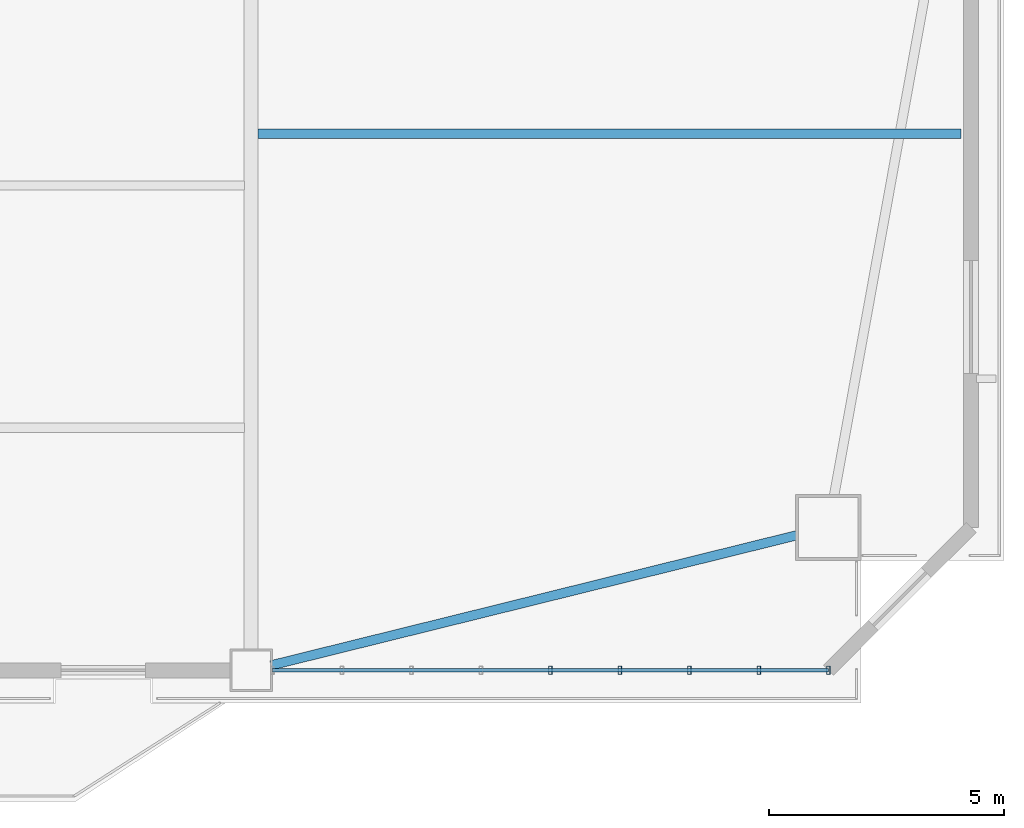
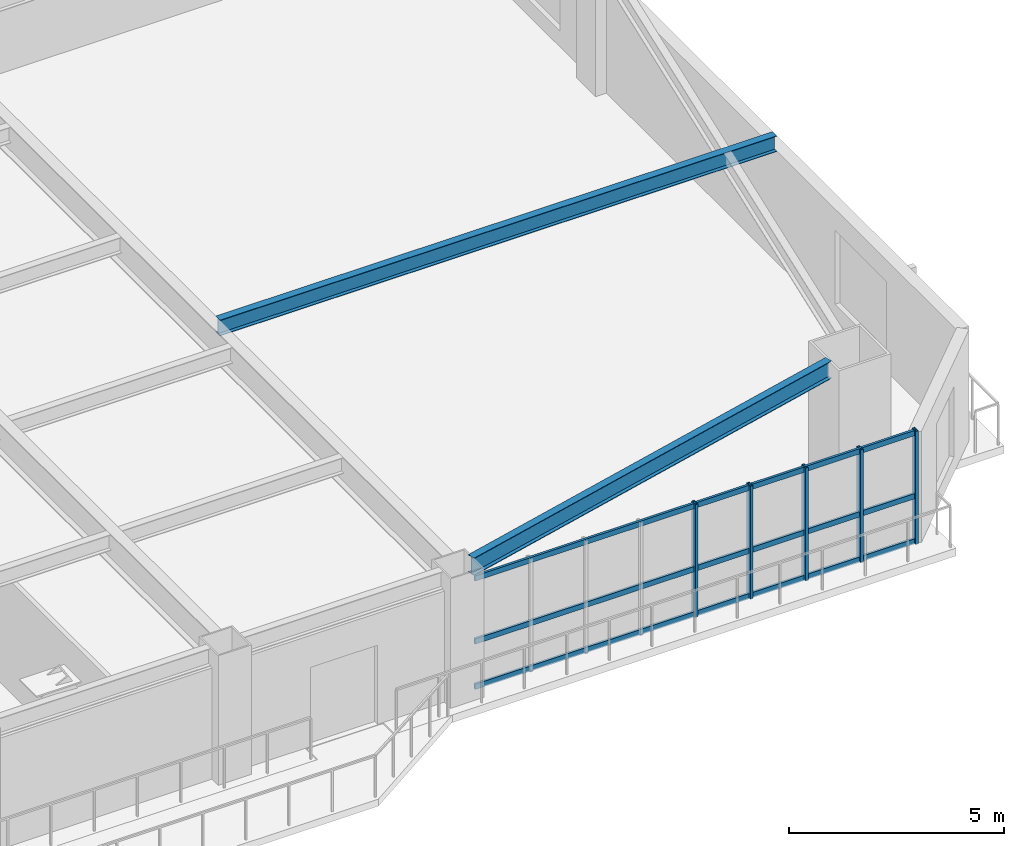
# One storey, part 5 of 15: 8 members, 2 beams, 1 element without a shape of its own.
"""IFC4 building model written with IfcOpenShell, lengths in metres."""

from ifc_helpers import new_model, si_unit, direction, frame, origin, origin_2d, place, context, subcontext, project, spatial, hollow_rectangle, i_section, extrude, source, transform, mapped, material, layer, layer_set, material_profile, profile_set, type_object, element, aggregate, save


model = new_model("IFC4")

# Units and contexts
model_context = context("Model", 3, precision=1e-05, world=origin(), true_north=direction((0.0, 1.0)))
body_context = subcontext(model_context, "Body", "Model", "MODEL_VIEW")
ifc_project = project(units=[si_unit("LENGTHUNIT", "METRE"), si_unit("AREAUNIT", "SQUARE_METRE"), si_unit("VOLUMEUNIT", "CUBIC_METRE"), si_unit("PLANEANGLEUNIT", "RADIAN"), si_unit("MASSUNIT", "GRAM", prefix="KILO")], contexts=[model_context])

# Site, building, storey
site_placement = place(None, origin())
site = spatial("IfcSite", under=ifc_project, at=site_placement, CompositionType="ELEMENT")
building_placement = place(site_placement, origin())
building = spatial("IfcBuilding", under=site, at=building_placement, Name="Giltprow Tower", CompositionType="ELEMENT")
storey_placement = place(building_placement, frame((0.0, 0.0, 103.60009765625)))
storey = spatial("IfcBuildingStorey", under=building, at=storey_placement, Name="L25", CompositionType="ELEMENT", Elevation=103.60009765625)

# Beams
ifc_material_1 = material(Name="Structural steel Q355B", Category="steel")
ifc_material_profile_1 = material_profile(ifc_material_1, i_section(OverallWidth=0.199951171875, OverallDepth=0.449951171875, WebThickness=0.009033203125, FlangeThickness=0.013916015625, at=origin_2d()), Name="HN 450x200x9x14")
ifc_profile_set_1 = profile_set([ifc_material_profile_1], Name="Structural steel Q355B")
beam_type_1 = type_object("IfcBeamType", Name="BM-JOIST-HN450", PredefinedType="JOIST", material=ifc_profile_set_1)
shared_shape_1 = source(origin(), body_context, "Body", "SweptSolid", [
    extrude(i_section(OverallWidth=0.199951171875, OverallDepth=0.449951171875, WebThickness=0.009033203125, FlangeThickness=0.013916015625, at=origin_2d()), origin(), (0.0, 0.0, 1.0), 14.975830078125),
])
beam_1_placement = place(storey_placement, frame((50.695068359375, 17.89306640625, 3.454833984375), z_axis=(1.0, 0.0, 0.0), x_axis=(0.0, 1.0, 0.0)))
element("IfcBeam", 1, at=beam_1_placement, inside=storey, type_object=beam_type_1, Name="L25 East Wing Floor Joist 1", PredefinedType="JOIST", context=body_context, shape_type="MappedRepresentation", body=[
    mapped(shared_shape_1, transform((0.0, 0.0, 0.0), x_axis=(1.0, 0.0, 0.0), y_axis=(0.0, 1.0, 0.0), z_axis=(0.0, 0.0, 1.0), scale=1.0)),
])
ifc_material_profile_2 = material_profile(ifc_material_1, i_section(OverallWidth=0.199951171875, OverallDepth=0.5, WebThickness=0.010009765625, FlangeThickness=0.01611328125, at=origin_2d()), Name="HN 500x200x10x16")
ifc_profile_set_2 = profile_set([ifc_material_profile_2], Name="Structural steel Q355B")
beam_type_2 = type_object("IfcBeamType", Name="BM-SPAN-HN500", PredefinedType="SPANDREL", material=ifc_profile_set_2)
shared_shape_2 = source(origin(), body_context, "Body", "SweptSolid", [
    extrude(i_section(OverallWidth=0.199951171875, OverallDepth=0.5, WebThickness=0.010009765625, FlangeThickness=0.01611328125, at=origin_2d()), origin(), (0.0, 0.0, 1.0), 11.54931640625),
])
beam_2_placement = place(storey_placement, frame((50.971923828125, 6.56591796875, 3.429931640625), z_axis=(0.970722882569, 0.240202175794, 0.0), x_axis=(-0.240202175794, 0.970722882569, 0.0)))
element("IfcBeam", 2, at=beam_2_placement, inside=storey, type_object=beam_type_2, Name="L25 Perimeter Spandrel Beam S4-MC_SE", PredefinedType="SPANDREL", context=body_context, shape_type="MappedRepresentation", body=[
    mapped(shared_shape_2, transform((0.0, 0.0, 0.0), x_axis=(1.0, 0.0, 0.0), y_axis=(0.0, 1.0, 0.0), z_axis=(0.0, 0.0, 1.0), scale=1.0)),
])

# Curtain wall, members
ifc_material_2 = material(Name="Anodized bronze", Category="metal")
ifc_layer = layer(ifc_material_2, 0.179931640625, Name="Anodized bronze")
ifc_layer_set = layer_set([ifc_layer], Name="Anodized bronze")
curtain_wall_type = type_object("IfcCurtainWallType", Name="CW-OFF-RECESSED", PredefinedType="NOTDEFINED", material=ifc_layer_set)
curtain_wall_placement = place(storey_placement, origin())
curtain_wall = element("IfcCurtainWall", 3, at=curtain_wall_placement, inside=storey, type_object=curtain_wall_type, Name="L25 South Recessed Curtain Wall 6", PredefinedType="NOTDEFINED")
ifc_material_profile_3 = material_profile(ifc_material_2, hollow_rectangle(XDim=0.074951171875, YDim=0.179931640625, WallThickness=0.008056640625, at=origin_2d()), Name="RHS 180x75x8")
ifc_profile_set_3 = profile_set([ifc_material_profile_3], Name="Anodized bronze")
member_type_1 = type_object("IfcMemberType", Name="CW-MULLION-180x75", PredefinedType="MULLION", material=ifc_profile_set_3)
shared_shape_3 = source(origin(), body_context, "Body", "SweptSolid", [
    extrude(hollow_rectangle(XDim=0.074951171875, YDim=0.179931640625, WallThickness=0.008056640625, at=origin_2d()), origin(), (0.0, 0.0, 1.0), 3.21484375),
])
member_1_placement = place(storey_placement, frame((56.924072265625, 6.4619140625, -0.02001953125), z_axis=(0.0, 0.0, 1.0), x_axis=(1.0, 0.0, 0.0)))
member_1 = element("IfcMember", 4, at=member_1_placement, type_object=member_type_1, Name="L25 South Recessed Curtain Wall 6 Mullion 5", PredefinedType="MULLION", context=body_context, shape_type="MappedRepresentation", body=[
    mapped(shared_shape_3, transform((0.0, 0.0, 0.0), x_axis=(1.0, 0.0, 0.0), y_axis=(0.0, 1.0, 0.0), z_axis=(0.0, 0.0, 1.0), scale=1.0)),
])
member_2_placement = place(storey_placement, frame((58.405029296875, 6.4619140625, -0.02001953125), z_axis=(0.0, 0.0, 1.0), x_axis=(1.0, 0.0, 0.0)))
member_2 = element("IfcMember", 5, at=member_2_placement, type_object=member_type_1, Name="L25 South Recessed Curtain Wall 6 Mullion 6", PredefinedType="MULLION", context=body_context, shape_type="MappedRepresentation", body=[
    mapped(shared_shape_3, transform((0.0, 0.0, 0.0), x_axis=(1.0, 0.0, 0.0), y_axis=(0.0, 1.0, 0.0), z_axis=(0.0, 0.0, 1.0), scale=1.0)),
])
member_3_placement = place(storey_placement, frame((59.885986328125, 6.4619140625, -0.02001953125), z_axis=(0.0, 0.0, 1.0), x_axis=(1.0, 0.0, 0.0)))
member_3 = element("IfcMember", 6, at=member_3_placement, type_object=member_type_1, Name="L25 South Recessed Curtain Wall 6 Mullion 7", PredefinedType="MULLION", context=body_context, shape_type="MappedRepresentation", body=[
    mapped(shared_shape_3, transform((0.0, 0.0, 0.0), x_axis=(1.0, 0.0, 0.0), y_axis=(0.0, 1.0, 0.0), z_axis=(0.0, 0.0, 1.0), scale=1.0)),
])
member_4_placement = place(storey_placement, frame((61.366943359375, 6.4619140625, -0.02001953125), z_axis=(0.0, 0.0, 1.0), x_axis=(1.0, 0.0, 0.0)))
member_4 = element("IfcMember", 7, at=member_4_placement, type_object=member_type_1, Name="L25 South Recessed Curtain Wall 6 Mullion 8", PredefinedType="MULLION", context=body_context, shape_type="MappedRepresentation", body=[
    mapped(shared_shape_3, transform((0.0, 0.0, 0.0), x_axis=(1.0, 0.0, 0.0), y_axis=(0.0, 1.0, 0.0), z_axis=(0.0, 0.0, 1.0), scale=1.0)),
])
member_5_placement = place(storey_placement, frame((62.847900390625, 6.4619140625, -0.02001953125), z_axis=(0.0, 0.0, 1.0), x_axis=(1.0, 0.0, 0.0)))
member_5 = element("IfcMember", 8, at=member_5_placement, type_object=member_type_1, Name="L25 South Recessed Curtain Wall 6 Mullion 9", PredefinedType="MULLION", context=body_context, shape_type="MappedRepresentation", body=[
    mapped(shared_shape_3, transform((0.0, 0.0, 0.0), x_axis=(1.0, 0.0, 0.0), y_axis=(0.0, 1.0, 0.0), z_axis=(0.0, 0.0, 1.0), scale=1.0)),
])
ifc_material_profile_4 = material_profile(ifc_material_2, hollow_rectangle(XDim=0.06494140625, YDim=0.14990234375, WallThickness=0.006103515625, at=origin_2d()), Name="RHS 150x65x6")
ifc_profile_set_4 = profile_set([ifc_material_profile_4], Name="Anodized bronze")
member_type_2 = type_object("IfcMemberType", Name="CW-TRANSOM-150x65", PredefinedType="USERDEFINED", material=ifc_profile_set_4)
shared_shape_4 = source(origin(), body_context, "Body", "SweptSolid", [
    extrude(hollow_rectangle(XDim=0.06494140625, YDim=0.14990234375, WallThickness=0.006103515625, at=origin_2d()), origin(), (0.0, 0.0, 1.0), 11.847900390625),
])
member_6_placement = place(storey_placement, frame((51.0, 6.4619140625, 0.039794921875), z_axis=(1.0, 0.0, 0.0), x_axis=(0.0, 1.0, 0.0)))
member_6 = element("IfcMember", 9, at=member_6_placement, type_object=member_type_2, Name="L25 South Recessed Curtain Wall 6 Transom 1", ObjectType="TRANSOM", PredefinedType="USERDEFINED", context=body_context, shape_type="MappedRepresentation", body=[
    mapped(shared_shape_4, transform((0.0, 0.0, 0.0), x_axis=(1.0, 0.0, 0.0), y_axis=(0.0, 1.0, 0.0), z_axis=(0.0, 0.0, 1.0), scale=1.0)),
])
member_7_placement = place(storey_placement, frame((51.0, 6.4619140625, 1.326904296875), z_axis=(1.0, 0.0, 0.0), x_axis=(0.0, 1.0, 0.0)))
member_7 = element("IfcMember", 10, at=member_7_placement, type_object=member_type_2, Name="L25 South Recessed Curtain Wall 6 Transom 2", ObjectType="TRANSOM", PredefinedType="USERDEFINED", context=body_context, shape_type="MappedRepresentation", body=[
    mapped(shared_shape_4, transform((0.0, 0.0, 0.0), x_axis=(1.0, 0.0, 0.0), y_axis=(0.0, 1.0, 0.0), z_axis=(0.0, 0.0, 1.0), scale=1.0)),
])
member_8_placement = place(storey_placement, frame((51.0, 6.4619140625, 3.119873046875), z_axis=(1.0, 0.0, 0.0), x_axis=(0.0, 1.0, 0.0)))
member_8 = element("IfcMember", 11, at=member_8_placement, type_object=member_type_2, Name="L25 South Recessed Curtain Wall 6 Transom 3", ObjectType="TRANSOM", PredefinedType="USERDEFINED", context=body_context, shape_type="MappedRepresentation", body=[
    mapped(shared_shape_4, transform((0.0, 0.0, 0.0), x_axis=(1.0, 0.0, 0.0), y_axis=(0.0, 1.0, 0.0), z_axis=(0.0, 0.0, 1.0), scale=1.0)),
])
aggregate(curtain_wall, [member_1, member_2, member_3, member_4, member_5, member_6, member_7, member_8])

save(model, "model.ifc")
